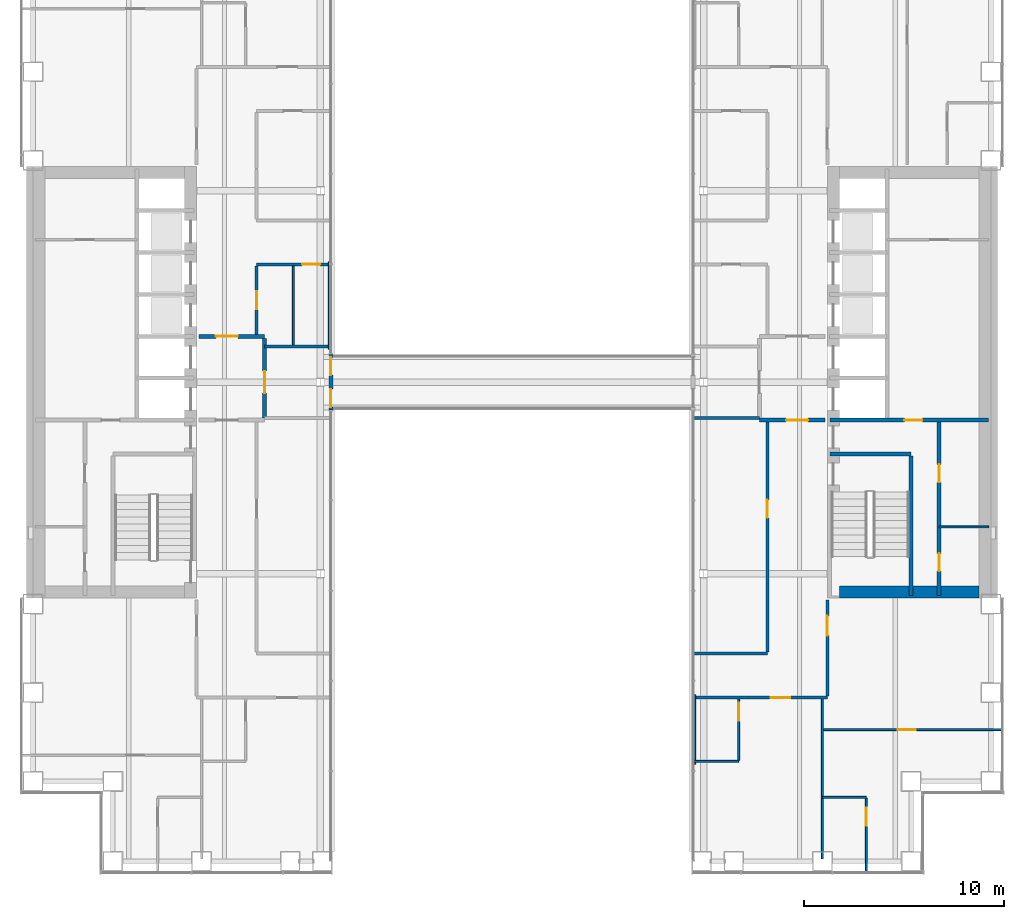
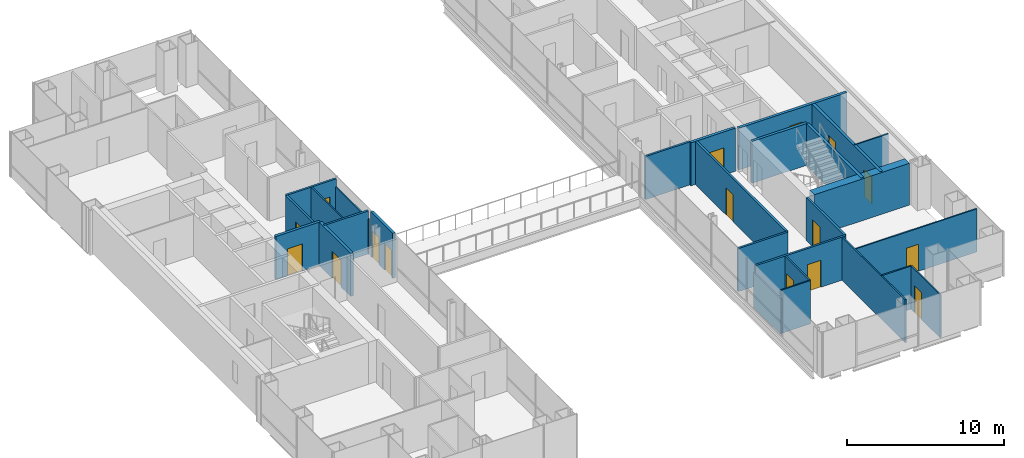
# One storey, part 14 of 18: 27 walls, 16 doors, 16 openings.
"""IFC4 building model written with IfcOpenShell, lengths in metres."""

from ifc_helpers import new_model, si_unit, direction, frame, frame_2d, origin, place, context, subcontext, project, spatial, rectangle, extrude, material, layer, layer_set, type_object, element, fill, save


model = new_model("IFC4")

# Units and contexts
model_context = context("Model", 3, precision=1e-05, world=origin(), true_north=direction((0.0, 1.0)))
body_context = subcontext(model_context, "Body", "Model", "MODEL_VIEW")
ifc_project = project(units=[si_unit("LENGTHUNIT", "METRE"), si_unit("AREAUNIT", "SQUARE_METRE"), si_unit("VOLUMEUNIT", "CUBIC_METRE"), si_unit("PLANEANGLEUNIT", "RADIAN"), si_unit("MASSUNIT", "GRAM", prefix="KILO")], contexts=[model_context])

# Site, building, storey
site_placement = place(None, origin())
site = spatial("IfcSite", under=ifc_project, at=site_placement, CompositionType="ELEMENT")
building_placement = place(site_placement, origin())
building = spatial("IfcBuilding", under=site, at=building_placement, Name="Cobrizo Arcos Hotel Tower", CompositionType="ELEMENT")
storey_placement = place(building_placement, frame((0.0, 0.0, 77.5)))
storey = spatial("IfcBuildingStorey", under=building, at=storey_placement, Name="L18", CompositionType="ELEMENT", Elevation=77.5)

# Wall, opening, door
ifc_material_1 = material(Name="Gypsum board partition")
ifc_layer_1 = layer(ifc_material_1, 0.14990234375)
ifc_layer_set_1 = layer_set([ifc_layer_1], Name="Corridor wall EI 60 150")
wall_type_1 = type_object("IfcWallType", Name="Corridor wall EI 60 150", PredefinedType="PARTITIONING", material=ifc_layer_set_1)
wall_1_placement = place(storey_placement, frame((9.14990234375, -15.800048828125, 0.0), z_axis=(0.0, 0.0, 1.0), x_axis=(1.0, 0.0, 0.0)))
wall_1 = element("IfcWall", 1, at=wall_1_placement, inside=storey, type_object=wall_type_1, Name="Partition 008", PredefinedType="PARTITIONING", context=body_context, shape_type="SweptSolid", body=[
    extrude(rectangle(XDim=6.650146484375, YDim=0.14990234375, at=frame_2d((3.3251953125, 0.0))), origin(), (0.0, 0.0, 1.0), 3.35009765625),
])
opening_1_placement = place(wall_1_placement, frame((3.802978515625, 0.0, 0.0)))
opening_1 = element("IfcOpeningElement", 2, at=opening_1_placement, cuts=wall_1, Name="Opening GD-03", PredefinedType="OPENING", context=body_context, shape_type="SweptSolid", body=[
    extrude(rectangle(XDim=1.0, YDim=2.10009765625, at=frame_2d((0.5, 1.050048828125))), frame((0.0, 0.0869140625, 0.0), z_axis=(0.0, -1.0, 0.0), x_axis=(1.0, 0.0, 0.0)), (0.0, 0.0, 1.0), 0.173828125),
])
ifc_material_2 = material(Name="Timber door leaf", Category="wood")
door_type_1 = type_object("IfcDoorType", Name="Guest room door FD30S 1000x2100", OperationType="SINGLE_SWING_LEFT", PredefinedType="DOOR", material=ifc_material_2)
door_1_placement = place(opening_1_placement, origin())
door_1 = element("IfcDoor", 3, at=door_1_placement, inside=storey, type_object=door_type_1, Name="Door GD-03", OperationType="SINGLE_SWING_LEFT", OverallHeight=2.10009765625, OverallWidth=1.0, PredefinedType="DOOR", context=body_context, shape_type="SweptSolid", body=[
    extrude(rectangle(XDim=1.0, YDim=2.10009765625, at=frame_2d((0.5, 1.050048828125))), frame((0.0, 0.02490234375, 0.0), z_axis=(0.0, -1.0, 0.0), x_axis=(1.0, 0.0, 0.0)), (0.0, 0.0, 1.0), 0.050048828125),
])
fill(opening_1, door_1)

# Walls
wall_2_placement = place(storey_placement, frame((9.1201171875, -13.60009765625, 0.0), z_axis=(0.0, 0.0, 1.0), x_axis=(1.0, 0.0, 0.0)))
element("IfcWall", 4, at=wall_2_placement, inside=storey, type_object=wall_type_1, Name="Partition 010", PredefinedType="PARTITIONING", context=body_context, shape_type="SweptSolid", body=[
    extrude(rectangle(XDim=3.679931640625, YDim=0.14990234375, at=frame_2d((1.83984375, 0.0))), origin(), (0.0, 0.0, 1.0), 3.35009765625),
])
wall_3_placement = place(storey_placement, frame((9.1201171875, -1.800048828125, 0.0), z_axis=(0.0, 0.0, 1.0), x_axis=(1.0, 0.0, 0.0)))
element("IfcWall", 5, at=wall_3_placement, inside=storey, type_object=wall_type_1, Name="Partition 020", PredefinedType="PARTITIONING", context=body_context, shape_type="SweptSolid", body=[
    extrude(rectangle(XDim=3.27978515625, YDim=0.14990234375, at=frame_2d((1.639892578125, 0.0))), origin(), (0.0, 0.0, 1.0), 3.35009765625),
])
wall_4_placement = place(storey_placement, frame((-12.39990234375, 1.800048828125, 0.0), z_axis=(0.0, 0.0, 1.0), x_axis=(1.0, 0.0, 0.0)))
element("IfcWall", 6, at=wall_4_placement, inside=storey, type_object=wall_type_1, Name="Partition 023", PredefinedType="PARTITIONING", context=body_context, shape_type="SweptSolid", body=[
    extrude(rectangle(XDim=3.25, YDim=0.14990234375, at=frame_2d((1.625, 0.0))), origin(), (0.0, 0.0, 1.0), 3.35009765625),
])

# Wall, opening, door
wall_5_placement = place(storey_placement, frame((-12.800048828125, 5.89990234375, 0.0), z_axis=(0.0, 0.0, 1.0), x_axis=(1.0, 0.0, 0.0)))
wall_5 = element("IfcWall", 7, at=wall_5_placement, inside=storey, type_object=wall_type_1, Name="Partition 031", PredefinedType="PARTITIONING", context=body_context, shape_type="SweptSolid", body=[
    extrude(rectangle(XDim=3.650146484375, YDim=0.14990234375, at=frame_2d((1.8251953125, 0.0))), origin(), (0.0, 0.0, 1.0), 3.35009765625),
])
opening_2_placement = place(wall_5_placement, frame((2.2880859375, 0.0, 0.0)))
opening_2 = element("IfcOpeningElement", 8, at=opening_2_placement, cuts=wall_5, Name="Opening ED-10", PredefinedType="OPENING", context=body_context, shape_type="SweptSolid", body=[
    extrude(rectangle(XDim=0.89990234375, YDim=2.10009765625, at=frame_2d((0.449951171875, 1.050048828125))), frame((0.0, 0.0869140625, 0.0), z_axis=(0.0, -1.0, 0.0), x_axis=(1.0, 0.0, 0.0)), (0.0, 0.0, 1.0), 0.173828125),
])
door_type_2 = type_object("IfcDoorType", Name="En-suite door 900x2100", OperationType="SINGLE_SWING_LEFT", PredefinedType="DOOR", material=ifc_material_2)
door_2_placement = place(opening_2_placement, origin())
door_2 = element("IfcDoor", 9, at=door_2_placement, inside=storey, type_object=door_type_2, Name="Door ED-10", OperationType="SINGLE_SWING_LEFT", OverallHeight=2.10009765625, OverallWidth=0.89990234375, PredefinedType="DOOR", context=body_context, shape_type="SweptSolid", body=[
    extrude(rectangle(XDim=0.89990234375, YDim=2.10009765625, at=frame_2d((0.449951171875, 1.050048828125))), frame((0.0, 0.02490234375, 0.0), z_axis=(0.0, -1.0, 0.0), x_axis=(1.0, 0.0, 0.0)), (0.0, 0.0, 1.0), 0.050048828125),
])
fill(opening_2, door_2)

wall_6_placement = place(storey_placement, frame((-12.800048828125, 2.39990234375, 0.0), z_axis=(0.0, 0.0, 1.0), x_axis=(0.0, 1.0, 0.0)))
wall_6 = element("IfcWall", 10, at=wall_6_placement, inside=storey, type_object=wall_type_1, Name="Partition 062", PredefinedType="PARTITIONING", context=body_context, shape_type="SweptSolid", body=[
    extrude(rectangle(XDim=3.425048828125, YDim=0.14990234375, at=frame_2d((1.71240234375, 0.0))), origin(), (0.0, 0.0, 1.0), 3.35009765625),
])
opening_3_placement = place(wall_6_placement, frame((1.25, 0.0, 0.0)))
opening_3 = element("IfcOpeningElement", 11, at=opening_3_placement, cuts=wall_6, Name="Opening ED-09", PredefinedType="OPENING", context=body_context, shape_type="SweptSolid", body=[
    extrude(rectangle(XDim=0.89990234375, YDim=2.10009765625, at=frame_2d((0.449951171875, 1.050048828125))), frame((0.0, 0.0869140625, 0.0), z_axis=(0.0, -1.0, 0.0), x_axis=(1.0, 0.0, 0.0)), (0.0, 0.0, 1.0), 0.173828125),
])
door_3_placement = place(opening_3_placement, origin())
door_3 = element("IfcDoor", 12, at=door_3_placement, inside=storey, type_object=door_type_2, Name="Door ED-09", OperationType="SINGLE_SWING_RIGHT", OverallHeight=2.10009765625, OverallWidth=0.89990234375, PredefinedType="DOOR", context=body_context, shape_type="SweptSolid", body=[
    extrude(rectangle(XDim=0.89990234375, YDim=2.10009765625, at=frame_2d((0.449951171875, 1.050048828125))), frame((0.0, 0.02490234375, 0.0), z_axis=(0.0, -1.0, 0.0), x_axis=(1.0, 0.0, 0.0)), (0.0, 0.0, 1.0), 0.050048828125),
])
fill(opening_3, door_3)

wall_7_placement = place(storey_placement, frame((12.800048828125, -13.52490234375, 0.0), z_axis=(0.0, 0.0, 1.0), x_axis=(0.0, 1.0, 0.0)))
wall_7 = element("IfcWall", 13, at=wall_7_placement, inside=storey, type_object=wall_type_1, Name="Partition 073", PredefinedType="PARTITIONING", context=body_context, shape_type="SweptSolid", body=[
    extrude(rectangle(XDim=11.52490234375, YDim=0.14990234375, at=frame_2d((5.762451171875, 0.0))), origin(), (0.0, 0.0, 1.0), 3.35009765625),
])
opening_4_placement = place(wall_7_placement, frame((6.72509765625, 0.0, 0.0)))
opening_4 = element("IfcOpeningElement", 14, at=opening_4_placement, cuts=wall_7, Name="Opening RD-16", PredefinedType="OPENING", context=body_context, shape_type="SweptSolid", body=[
    extrude(rectangle(XDim=0.89990234375, YDim=2.10009765625, at=frame_2d((0.449951171875, 1.050048828125))), frame((0.0, 0.0869140625, 0.0), z_axis=(0.0, -1.0, 0.0), x_axis=(1.0, 0.0, 0.0)), (0.0, 0.0, 1.0), 0.173828125),
])
door_type_3 = type_object("IfcDoorType", Name="Room door FD30 900x2100", OperationType="SINGLE_SWING_LEFT", PredefinedType="DOOR", material=ifc_material_2)
door_4_placement = place(opening_4_placement, origin())
door_4 = element("IfcDoor", 15, at=door_4_placement, inside=storey, type_object=door_type_3, Name="Door RD-16", OperationType="SINGLE_SWING_LEFT", OverallHeight=2.10009765625, OverallWidth=0.89990234375, PredefinedType="DOOR", context=body_context, shape_type="SweptSolid", body=[
    extrude(rectangle(XDim=0.89990234375, YDim=2.10009765625, at=frame_2d((0.449951171875, 1.050048828125))), frame((0.0, 0.02490234375, 0.0), z_axis=(0.0, -1.0, 0.0), x_axis=(1.0, 0.0, 0.0)), (0.0, 0.0, 1.0), 0.050048828125),
])
fill(opening_4, door_4)

wall_8_placement = place(storey_placement, frame((15.800048828125, -15.72509765625, 0.0), z_axis=(0.0, 0.0, 1.0), x_axis=(0.0, 1.0, 0.0)))
wall_8 = element("IfcWall", 16, at=wall_8_placement, inside=storey, type_object=wall_type_1, Name="Partition 079", PredefinedType="PARTITIONING", context=body_context, shape_type="SweptSolid", body=[
    extrude(rectangle(XDim=4.80517578125, YDim=0.14990234375, at=frame_2d((2.402587890625, 0.0))), origin(), (0.0, 0.0, 1.0), 3.35009765625),
])
opening_5_placement = place(wall_8_placement, frame((3.02490234375, 0.0, 0.0)))
opening_5 = element("IfcOpeningElement", 17, at=opening_5_placement, cuts=wall_8, Name="Opening GD-07", PredefinedType="OPENING", context=body_context, shape_type="SweptSolid", body=[
    extrude(rectangle(XDim=1.0, YDim=2.10009765625, at=frame_2d((0.5, 1.050048828125))), frame((0.0, 0.0869140625, 0.0), z_axis=(0.0, -1.0, 0.0), x_axis=(1.0, 0.0, 0.0)), (0.0, 0.0, 1.0), 0.173828125),
])
door_5_placement = place(opening_5_placement, origin())
door_5 = element("IfcDoor", 18, at=door_5_placement, inside=storey, type_object=door_type_1, Name="Door GD-07", OperationType="SINGLE_SWING_LEFT", OverallHeight=2.10009765625, OverallWidth=1.0, PredefinedType="DOOR", context=body_context, shape_type="SweptSolid", body=[
    extrude(rectangle(XDim=1.0, YDim=2.10009765625, at=frame_2d((0.5, 1.050048828125))), frame((0.0, 0.02490234375, 0.0), z_axis=(0.0, -1.0, 0.0), x_axis=(1.0, 0.0, 0.0)), (0.0, 0.0, 1.0), 0.050048828125),
])
fill(opening_5, door_5)

# Wall, openings, doors
ifc_material_3 = material(Name="Aluminium 6063-T6 anodised pale", Category="aluminium")
ifc_layer_2 = layer(ifc_material_3, 0.199951171875)
ifc_layer_set_2 = layer_set([ifc_layer_2], Name="EW-4 sky bridge door frame wall")
wall_type_2 = type_object("IfcWallType", Name="EW-4 sky bridge door frame wall", PredefinedType="SOLIDWALL", material=ifc_layer_set_2)
wall_9_placement = place(storey_placement, frame((-9.074951171875, -1.39990234375, 0.0), z_axis=(0.0, 0.0, 1.0), x_axis=(0.0, 1.0, 0.0)))
wall_9 = element("IfcWall", 19, at=wall_9_placement, inside=storey, type_object=wall_type_2, Name="Sky bridge door wall A W", PredefinedType="SOLIDWALL", context=body_context, shape_type="SweptSolid", body=[
    extrude(rectangle(XDim=2.7998046875, YDim=0.199951171875, at=frame_2d((1.39990234375, 0.0))), origin(), (0.0, 0.0, 1.0), 3.5),
])
opening_6_placement = place(wall_9_placement, frame((0.14990234375, 0.0, 0.0)))
opening_6 = element("IfcOpeningElement", 20, at=opening_6_placement, cuts=wall_9, Name="Opening E-38", PredefinedType="OPENING", context=body_context, shape_type="SweptSolid", body=[
    extrude(rectangle(XDim=0.89990234375, YDim=2.10009765625, at=frame_2d((0.449951171875, 1.050048828125))), frame((0.0, 0.112060546875, 0.0), z_axis=(0.0, -1.0, 0.0), x_axis=(1.0, 0.0, 0.0)), (0.0, 0.0, 1.0), 0.223876953125),
])
opening_7_placement = place(wall_9_placement, frame((1.75, 0.0, 0.0)))
opening_7 = element("IfcOpeningElement", 21, at=opening_7_placement, cuts=wall_9, Name="Opening E-39", PredefinedType="OPENING", context=body_context, shape_type="SweptSolid", body=[
    extrude(rectangle(XDim=0.89990234375, YDim=2.10009765625, at=frame_2d((0.449951171875, 1.050048828125))), frame((0.0, 0.112060546875, 0.0), z_axis=(0.0, -1.0, 0.0), x_axis=(1.0, 0.0, 0.0)), (0.0, 0.0, 1.0), 0.223876953125),
])
ifc_material_4 = material(Name="Aluminium 6063-T6 and clear laminated glass", Category="aluminium")
door_type_4 = type_object("IfcDoorType", Name="D-B2 sky bridge single door 900x2100", OperationType="SINGLE_SWING_LEFT", PredefinedType="DOOR", material=ifc_material_4)
door_6_placement = place(opening_6_placement, origin())
door_6 = element("IfcDoor", 22, at=door_6_placement, inside=storey, type_object=door_type_4, Name="Sky bridge door wall A W door E-38", OperationType="SINGLE_SWING_LEFT", OverallHeight=2.10009765625, OverallWidth=0.89990234375, PredefinedType="DOOR", context=body_context, shape_type="SweptSolid", body=[
    extrude(rectangle(XDim=0.89990234375, YDim=2.10009765625, at=frame_2d((0.449951171875, 1.050048828125))), frame((0.0, 0.02490234375, 0.0), z_axis=(0.0, -1.0, 0.0), x_axis=(1.0, 0.0, 0.0)), (0.0, 0.0, 1.0), 0.050048828125),
])
fill(opening_6, door_6)
door_7_placement = place(opening_7_placement, origin())
door_7 = element("IfcDoor", 23, at=door_7_placement, inside=storey, type_object=door_type_4, Name="Sky bridge door wall A W door E-39", OperationType="SINGLE_SWING_RIGHT", OverallHeight=2.10009765625, OverallWidth=0.89990234375, PredefinedType="DOOR", context=body_context, shape_type="SweptSolid", body=[
    extrude(rectangle(XDim=0.89990234375, YDim=2.10009765625, at=frame_2d((0.449951171875, 1.050048828125))), frame((0.0, 0.02490234375, 0.0), z_axis=(0.0, -1.0, 0.0), x_axis=(1.0, 0.0, 0.0)), (0.0, 0.0, 1.0), 0.050048828125),
])
fill(opening_7, door_7)

# Walls
ifc_layer_3 = layer(ifc_material_1, 0.10009765625)
ifc_layer_set_3 = layer_set([ifc_layer_3], Name="Partition EI 30 100")
wall_type_3 = type_object("IfcWallType", Name="Partition EI 30 100", PredefinedType="PARTITIONING", material=ifc_layer_set_3)
wall_10_placement = place(storey_placement, frame((15.550048828125, -20.800048828125, 0.0), z_axis=(0.0, 0.0, 1.0), x_axis=(1.0, 0.0, 0.0)))
element("IfcWall", 24, at=wall_10_placement, inside=storey, type_object=wall_type_3, Name="Partition 002", PredefinedType="PARTITIONING", context=body_context, shape_type="SweptSolid", body=[
    extrude(rectangle(XDim=2.199951171875, YDim=0.10009765625, at=frame_2d((1.10009765625, 0.0))), origin(), (0.0, 0.0, 1.0), 3.35009765625),
])
wall_11_placement = place(storey_placement, frame((9.14990234375, -19.0, 0.0), z_axis=(0.0, 0.0, 1.0), x_axis=(1.0, 0.0, 0.0)))
element("IfcWall", 25, at=wall_11_placement, inside=storey, type_object=wall_type_3, Name="Partition 004", PredefinedType="PARTITIONING", context=body_context, shape_type="SweptSolid", body=[
    extrude(rectangle(XDim=2.2001953125, YDim=0.10009765625, at=frame_2d((1.10009765625, 0.0))), origin(), (0.0, 0.0, 1.0), 3.35009765625),
])

# Wall, opening, door
wall_12_placement = place(storey_placement, frame((15.550048828125, -17.39990234375, 0.0), z_axis=(0.0, 0.0, 1.0), x_axis=(1.0, 0.0, 0.0)))
wall_12 = element("IfcWall", 26, at=wall_12_placement, inside=storey, type_object=wall_type_3, Name="Partition 006", PredefinedType="PARTITIONING", context=body_context, shape_type="SweptSolid", body=[
    extrude(rectangle(XDim=8.97998046875, YDim=0.10009765625, at=frame_2d((4.489990234375, 0.0))), origin(), (0.0, 0.0, 1.0), 3.35009765625),
])
opening_8_placement = place(wall_12_placement, frame((3.778076171875, 0.0, 0.0)))
opening_8 = element("IfcOpeningElement", 27, at=opening_8_placement, cuts=wall_12, Name="Opening RD-11", PredefinedType="OPENING", context=body_context, shape_type="SweptSolid", body=[
    extrude(rectangle(XDim=0.89990234375, YDim=2.10009765625, at=frame_2d((0.449951171875, 1.050048828125))), frame((0.0, 0.06201171875, 0.0), z_axis=(0.0, -1.0, 0.0), x_axis=(1.0, 0.0, 0.0)), (0.0, 0.0, 1.0), 0.1240234375),
])
door_8_placement = place(opening_8_placement, origin())
door_8 = element("IfcDoor", 28, at=door_8_placement, inside=storey, type_object=door_type_3, Name="Door RD-11", OperationType="SINGLE_SWING_LEFT", OverallHeight=2.10009765625, OverallWidth=0.89990234375, PredefinedType="DOOR", context=body_context, shape_type="SweptSolid", body=[
    extrude(rectangle(XDim=0.89990234375, YDim=2.10009765625, at=frame_2d((0.449951171875, 1.050048828125))), frame((0.0, 0.02490234375, 0.0), z_axis=(0.0, -1.0, 0.0), x_axis=(1.0, 0.0, 0.0)), (0.0, 0.0, 1.0), 0.050048828125),
])
fill(opening_8, door_8)

# Walls
wall_13_placement = place(storey_placement, frame((21.39990234375, -7.25, 0.0), z_axis=(0.0, 0.0, 1.0), x_axis=(1.0, 0.0, 0.0)))
element("IfcWall", 29, at=wall_13_placement, inside=storey, type_object=wall_type_3, Name="Partition 012", PredefinedType="PARTITIONING", context=body_context, shape_type="SweptSolid", body=[
    extrude(rectangle(XDim=2.47998046875, YDim=0.10009765625, at=frame_2d((1.239990234375, 0.0))), origin(), (0.0, 0.0, 1.0), 3.25),
])
wall_14_placement = place(storey_placement, frame((-10.949951171875, 1.875, 0.0), z_axis=(0.0, 0.0, 1.0), x_axis=(0.0, 1.0, 0.0)))
element("IfcWall", 30, at=wall_14_placement, inside=storey, type_object=wall_type_3, Name="Partition 066", PredefinedType="PARTITIONING", context=body_context, shape_type="SweptSolid", body=[
    extrude(rectangle(XDim=3.949951171875, YDim=0.10009765625, at=frame_2d((1.97509765625, 0.0))), origin(), (0.0, 0.0, 1.0), 3.35009765625),
])
wall_15_placement = place(storey_placement, frame((-9.14990234375, 1.659912109375, 0.0), z_axis=(0.0, 0.0, 1.0), x_axis=(0.0, 1.0, 0.0)))
element("IfcWall", 31, at=wall_15_placement, inside=storey, type_object=wall_type_3, Name="Partition 067", PredefinedType="PARTITIONING", context=body_context, shape_type="SweptSolid", body=[
    extrude(rectangle(XDim=4.380126953125, YDim=0.10009765625, at=frame_2d((2.18994140625, 0.0))), origin(), (0.0, 0.0, 1.0), 2.73291015625),
])
wall_16_placement = place(storey_placement, frame((9.14990234375, -19.139892578125, 0.0), z_axis=(0.0, 0.0, 1.0), x_axis=(0.0, 1.0, 0.0)))
element("IfcWall", 32, at=wall_16_placement, inside=storey, type_object=wall_type_3, Name="Partition 068", PredefinedType="PARTITIONING", context=body_context, shape_type="SweptSolid", body=[
    extrude(rectangle(XDim=3.47998046875, YDim=0.10009765625, at=frame_2d((1.739990234375, 0.0))), origin(), (0.0, 0.0, 1.0), 2.73291015625),
])

# Wall, opening, door
wall_17_placement = place(storey_placement, frame((11.35009765625, -18.949951171875, 0.0), z_axis=(0.0, 0.0, 1.0), x_axis=(0.0, 1.0, 0.0)))
wall_17 = element("IfcWall", 33, at=wall_17_placement, inside=storey, type_object=wall_type_3, Name="Partition 070", PredefinedType="PARTITIONING", context=body_context, shape_type="SweptSolid", body=[
    extrude(rectangle(XDim=3.074951171875, YDim=0.10009765625, at=frame_2d((1.53759765625, 0.0))), origin(), (0.0, 0.0, 1.0), 3.35009765625),
])
opening_9_placement = place(wall_17_placement, frame((1.99609375, 0.0, 0.0)))
opening_9 = element("IfcOpeningElement", 34, at=opening_9_placement, cuts=wall_17, Name="Opening ED-03", PredefinedType="OPENING", context=body_context, shape_type="SweptSolid", body=[
    extrude(rectangle(XDim=0.89990234375, YDim=2.10009765625, at=frame_2d((0.449951171875, 1.050048828125))), frame((0.0, 0.06201171875, 0.0), z_axis=(0.0, -1.0, 0.0), x_axis=(1.0, 0.0, 0.0)), (0.0, 0.0, 1.0), 0.1240234375),
])
door_9_placement = place(opening_9_placement, origin())
door_9 = element("IfcDoor", 35, at=door_9_placement, inside=storey, type_object=door_type_2, Name="Door ED-03", OperationType="SINGLE_SWING_RIGHT", OverallHeight=2.10009765625, OverallWidth=0.89990234375, PredefinedType="DOOR", context=body_context, shape_type="SweptSolid", body=[
    extrude(rectangle(XDim=0.89990234375, YDim=2.10009765625, at=frame_2d((0.449951171875, 1.050048828125))), frame((0.0, 0.02490234375, 0.0), z_axis=(0.0, -1.0, 0.0), x_axis=(1.0, 0.0, 0.0)), (0.0, 0.0, 1.0), 0.050048828125),
])
fill(opening_9, door_9)

# Wall
wall_18_placement = place(storey_placement, frame((15.550048828125, -23.8798828125, 0.0), z_axis=(0.0, 0.0, 1.0), x_axis=(0.0, 1.0, 0.0)))
element("IfcWall", 36, at=wall_18_placement, inside=storey, type_object=wall_type_3, Name="Partition 077", PredefinedType="PARTITIONING", context=body_context, shape_type="SweptSolid", body=[
    extrude(rectangle(XDim=8.0048828125, YDim=0.10009765625, at=frame_2d((4.00244140625, 0.0))), origin(), (0.0, 0.0, 1.0), 3.35009765625),
])

# Wall, opening, door
wall_19_placement = place(storey_placement, frame((17.75, -24.530029296875, 0.0), z_axis=(0.0, 0.0, 1.0), x_axis=(0.0, 1.0, 0.0)))
wall_19 = element("IfcWall", 37, at=wall_19_placement, inside=storey, type_object=wall_type_3, Name="Partition 081", PredefinedType="PARTITIONING", context=body_context, shape_type="SweptSolid", body=[
    extrude(rectangle(XDim=3.679931640625, YDim=0.10009765625, at=frame_2d((1.83984375, 0.0))), origin(), (0.0, 0.0, 1.0), 3.35009765625),
])
opening_10_placement = place(wall_19_placement, frame((2.320068359375, 0.0, 0.0)))
opening_10 = element("IfcOpeningElement", 38, at=opening_10_placement, cuts=wall_19, Name="Opening ED-07", PredefinedType="OPENING", context=body_context, shape_type="SweptSolid", body=[
    extrude(rectangle(XDim=0.89990234375, YDim=2.10009765625, at=frame_2d((0.449951171875, 1.050048828125))), frame((0.0, 0.06201171875, 0.0), z_axis=(0.0, -1.0, 0.0), x_axis=(1.0, 0.0, 0.0)), (0.0, 0.0, 1.0), 0.1240234375),
])
door_10_placement = place(opening_10_placement, origin())
door_10 = element("IfcDoor", 39, at=door_10_placement, inside=storey, type_object=door_type_2, Name="Door ED-07", OperationType="SINGLE_SWING_LEFT", OverallHeight=2.10009765625, OverallWidth=0.89990234375, PredefinedType="DOOR", context=body_context, shape_type="SweptSolid", body=[
    extrude(rectangle(XDim=0.89990234375, YDim=2.10009765625, at=frame_2d((0.449951171875, 1.050048828125))), frame((0.0, 0.02490234375, 0.0), z_axis=(0.0, -1.0, 0.0), x_axis=(1.0, 0.0, 0.0)), (0.0, 0.0, 1.0), 0.050048828125),
])
fill(opening_10, door_10)

# Wall
ifc_material_5 = material(Name="Concrete f'c 60 MPa", Category="concrete")
ifc_layer_4 = layer(ifc_material_5, 0.60009765625)
ifc_layer_set_4 = layer_set([ifc_layer_4], Name="RC core wall 600 f'c 60")
wall_type_4 = type_object("IfcWallType", Name="RC core wall 600 f'c 60", PredefinedType="SHEAR", material=ifc_layer_set_4)
wall_20_placement = place(storey_placement, frame((16.39990234375, -10.5, 0.0), z_axis=(0.0, 0.0, 1.0), x_axis=(1.0, 0.0, 0.0)))
element("IfcWall", 40, at=wall_20_placement, inside=storey, type_object=wall_type_4, Name="Core wall CW1, east core, south end, L18", PredefinedType="SHEAR", context=body_context, shape_type="SweptSolid", body=[
    extrude(rectangle(XDim=7.0, YDim=0.60009765625, at=frame_2d((3.5, 0.0))), origin(), (0.0, 0.0, 1.0), 3.25),
])

# Wall, opening, door
ifc_layer_5 = layer(ifc_material_1, 0.199951171875)
ifc_layer_set_5 = layer_set([ifc_layer_5], Name="Shaft wall EI 120 200")
wall_type_5 = type_object("IfcWallType", Name="Shaft wall EI 120 200", PredefinedType="PARTITIONING", material=ifc_layer_set_5)
wall_21_placement = place(storey_placement, frame((12.39990234375, -1.89990234375, 0.0), z_axis=(0.0, 0.0, 1.0), x_axis=(1.0, 0.0, 0.0)))
wall_21 = element("IfcWall", 41, at=wall_21_placement, inside=storey, type_object=wall_type_5, Name="Partition 017", PredefinedType="PARTITIONING", context=body_context, shape_type="SweptSolid", body=[
    extrude(rectangle(XDim=3.280029296875, YDim=0.199951171875, at=frame_2d((1.64013671875, 0.0))), origin(), (0.0, 0.0, 1.0), 3.35009765625),
])
opening_11_placement = place(wall_21_placement, frame((1.340087890625, 0.0, 0.0)))
opening_11 = element("IfcOpeningElement", 42, at=opening_11_placement, cuts=wall_21, Name="Opening FD-07", PredefinedType="OPENING", context=body_context, shape_type="SweptSolid", body=[
    extrude(rectangle(XDim=1.10009765625, YDim=2.10009765625, at=frame_2d((0.550048828125, 1.050048828125))), frame((0.0, 0.112060546875, 0.0), z_axis=(0.0, -1.0, 0.0), x_axis=(1.0, 0.0, 0.0)), (0.0, 0.0, 1.0), 0.223876953125),
])
ifc_material_6 = material(Name="Steel door leaf", Category="steel")
door_type_5 = type_object("IfcDoorType", Name="Fire door FD60 1100x2100", OperationType="SINGLE_SWING_LEFT", PredefinedType="DOOR", material=ifc_material_6)
door_11_placement = place(opening_11_placement, origin())
door_11 = element("IfcDoor", 43, at=door_11_placement, inside=storey, type_object=door_type_5, Name="Door FD-07", OperationType="SINGLE_SWING_RIGHT", OverallHeight=2.10009765625, OverallWidth=1.10009765625, PredefinedType="DOOR", context=body_context, shape_type="SweptSolid", body=[
    extrude(rectangle(XDim=1.10009765625, YDim=2.10009765625, at=frame_2d((0.550048828125, 1.050048828125))), frame((0.0, 0.02490234375, 0.0), z_axis=(0.0, -1.0, 0.0), x_axis=(1.0, 0.0, 0.0)), (0.0, 0.0, 1.0), 0.050048828125),
])
fill(opening_11, door_11)

wall_22_placement = place(storey_placement, frame((15.919921875, -1.89990234375, 0.0), z_axis=(0.0, 0.0, 1.0), x_axis=(1.0, 0.0, 0.0)))
wall_22 = element("IfcWall", 44, at=wall_22_placement, inside=storey, type_object=wall_type_5, Name="Partition 018", PredefinedType="PARTITIONING", context=body_context, shape_type="SweptSolid", body=[
    extrude(rectangle(XDim=7.9599609375, YDim=0.199951171875, at=frame_2d((3.97998046875, 0.0))), origin(), (0.0, 0.0, 1.0), 3.25),
])
opening_12_placement = place(wall_22_placement, frame((3.739990234375, 0.0, 0.0)))
opening_12 = element("IfcOpeningElement", 45, at=opening_12_placement, cuts=wall_22, Name="Opening RD-07", PredefinedType="OPENING", context=body_context, shape_type="SweptSolid", body=[
    extrude(rectangle(XDim=0.89990234375, YDim=2.10009765625, at=frame_2d((0.449951171875, 1.050048828125))), frame((0.0, 0.112060546875, 0.0), z_axis=(0.0, -1.0, 0.0), x_axis=(1.0, 0.0, 0.0)), (0.0, 0.0, 1.0), 0.223876953125),
])
door_12_placement = place(opening_12_placement, origin())
door_12 = element("IfcDoor", 46, at=door_12_placement, inside=storey, type_object=door_type_3, Name="Door RD-07", OperationType="SINGLE_SWING_LEFT", OverallHeight=2.10009765625, OverallWidth=0.89990234375, PredefinedType="DOOR", context=body_context, shape_type="SweptSolid", body=[
    extrude(rectangle(XDim=0.89990234375, YDim=2.10009765625, at=frame_2d((0.449951171875, 1.050048828125))), frame((0.0, 0.02490234375, 0.0), z_axis=(0.0, -1.0, 0.0), x_axis=(1.0, 0.0, 0.0)), (0.0, 0.0, 1.0), 0.050048828125),
])
fill(opening_12, door_12)

wall_23_placement = place(storey_placement, frame((-15.679931640625, 2.300048828125, 0.0), z_axis=(0.0, 0.0, 1.0), x_axis=(1.0, 0.0, 0.0)))
wall_23 = element("IfcWall", 47, at=wall_23_placement, inside=storey, type_object=wall_type_5, Name="Partition 026", PredefinedType="PARTITIONING", context=body_context, shape_type="SweptSolid", body=[
    extrude(rectangle(XDim=3.280029296875, YDim=0.199951171875, at=frame_2d((1.64013671875, 0.0))), origin(), (0.0, 0.0, 1.0), 3.35009765625),
])
opening_13_placement = place(wall_23_placement, frame((0.840087890625, 0.0, 0.0)))
opening_13 = element("IfcOpeningElement", 48, at=opening_13_placement, cuts=wall_23, Name="Opening FD-04", PredefinedType="OPENING", context=body_context, shape_type="SweptSolid", body=[
    extrude(rectangle(XDim=1.10009765625, YDim=2.10009765625, at=frame_2d((0.550048828125, 1.050048828125))), frame((0.0, 0.112060546875, 0.0), z_axis=(0.0, -1.0, 0.0), x_axis=(1.0, 0.0, 0.0)), (0.0, 0.0, 1.0), 0.223876953125),
])
door_13_placement = place(opening_13_placement, origin())
door_13 = element("IfcDoor", 49, at=door_13_placement, inside=storey, type_object=door_type_5, Name="Door FD-04", OperationType="SINGLE_SWING_LEFT", OverallHeight=2.10009765625, OverallWidth=1.10009765625, PredefinedType="DOOR", context=body_context, shape_type="SweptSolid", body=[
    extrude(rectangle(XDim=1.10009765625, YDim=2.10009765625, at=frame_2d((0.550048828125, 1.050048828125))), frame((0.0, 0.02490234375, 0.0), z_axis=(0.0, -1.0, 0.0), x_axis=(1.0, 0.0, 0.0)), (0.0, 0.0, 1.0), 0.050048828125),
])
fill(opening_13, door_13)

wall_24_placement = place(storey_placement, frame((-12.39990234375, -1.800048828125, 0.0), z_axis=(0.0, 0.0, 1.0), x_axis=(0.0, 1.0, 0.0)))
wall_24 = element("IfcWall", 50, at=wall_24_placement, inside=storey, type_object=wall_type_5, Name="Partition 065", PredefinedType="PARTITIONING", context=body_context, shape_type="SweptSolid", body=[
    extrude(rectangle(XDim=4.0, YDim=0.199951171875, at=frame_2d((2.0, 0.0))), origin(), (0.0, 0.0, 1.0), 3.35009765625),
])
opening_14_placement = place(wall_24_placement, frame((1.25, 0.0, 0.0)))
opening_14 = element("IfcOpeningElement", 51, at=opening_14_placement, cuts=wall_24, Name="Opening FD-02", PredefinedType="OPENING", context=body_context, shape_type="SweptSolid", body=[
    extrude(rectangle(XDim=1.10009765625, YDim=2.10009765625, at=frame_2d((0.550048828125, 1.050048828125))), frame((0.0, 0.112060546875, 0.0), z_axis=(0.0, -1.0, 0.0), x_axis=(1.0, 0.0, 0.0)), (0.0, 0.0, 1.0), 0.223876953125),
])
door_14_placement = place(opening_14_placement, origin())
door_14 = element("IfcDoor", 52, at=door_14_placement, inside=storey, type_object=door_type_5, Name="Door FD-02", OperationType="SINGLE_SWING_LEFT", OverallHeight=2.10009765625, OverallWidth=1.10009765625, PredefinedType="DOOR", context=body_context, shape_type="SweptSolid", body=[
    extrude(rectangle(XDim=1.10009765625, YDim=2.10009765625, at=frame_2d((0.550048828125, 1.050048828125))), frame((0.0, 0.02490234375, 0.0), z_axis=(0.0, -1.0, 0.0), x_axis=(1.0, 0.0, 0.0)), (0.0, 0.0, 1.0), 0.050048828125),
])
fill(opening_14, door_14)

# Wall, openings, doors
wall_25_placement = place(storey_placement, frame((21.39990234375, -10.679931640625, 0.0), z_axis=(0.0, 0.0, 1.0), x_axis=(0.0, 1.0, 0.0)))
wall_25 = element("IfcWall", 53, at=wall_25_placement, inside=storey, type_object=wall_type_5, Name="Partition 085", PredefinedType="PARTITIONING", context=body_context, shape_type="SweptSolid", body=[
    extrude(rectangle(XDim=8.679931640625, YDim=0.199951171875, at=frame_2d((4.33984375, 0.0))), origin(), (0.0, 0.0, 1.0), 3.25),
])
opening_15_placement = place(wall_25_placement, frame((1.2099609375, 0.0, 0.0)))
opening_15 = element("IfcOpeningElement", 54, at=opening_15_placement, cuts=wall_25, Name="Opening RD-05", PredefinedType="OPENING", context=body_context, shape_type="SweptSolid", body=[
    extrude(rectangle(XDim=0.89990234375, YDim=2.10009765625, at=frame_2d((0.449951171875, 1.050048828125))), frame((0.0, 0.112060546875, 0.0), z_axis=(0.0, -1.0, 0.0), x_axis=(1.0, 0.0, 0.0)), (0.0, 0.0, 1.0), 0.223876953125),
])
opening_16_placement = place(wall_25_placement, frame((5.659912109375, 0.0, 0.0)))
opening_16 = element("IfcOpeningElement", 55, at=opening_16_placement, cuts=wall_25, Name="Opening RD-06", PredefinedType="OPENING", context=body_context, shape_type="SweptSolid", body=[
    extrude(rectangle(XDim=0.89990234375, YDim=2.10009765625, at=frame_2d((0.449951171875, 1.050048828125))), frame((0.0, 0.112060546875, 0.0), z_axis=(0.0, -1.0, 0.0), x_axis=(1.0, 0.0, 0.0)), (0.0, 0.0, 1.0), 0.223876953125),
])
door_15_placement = place(opening_15_placement, origin())
door_15 = element("IfcDoor", 56, at=door_15_placement, inside=storey, type_object=door_type_3, Name="Door RD-05", OperationType="SINGLE_SWING_RIGHT", OverallHeight=2.10009765625, OverallWidth=0.89990234375, PredefinedType="DOOR", context=body_context, shape_type="SweptSolid", body=[
    extrude(rectangle(XDim=0.89990234375, YDim=2.10009765625, at=frame_2d((0.449951171875, 1.050048828125))), frame((0.0, 0.02490234375, 0.0), z_axis=(0.0, -1.0, 0.0), x_axis=(1.0, 0.0, 0.0)), (0.0, 0.0, 1.0), 0.050048828125),
])
fill(opening_15, door_15)
door_16_placement = place(opening_16_placement, origin())
door_16 = element("IfcDoor", 57, at=door_16_placement, inside=storey, type_object=door_type_3, Name="Door RD-06", OperationType="SINGLE_SWING_RIGHT", OverallHeight=2.10009765625, OverallWidth=0.89990234375, PredefinedType="DOOR", context=body_context, shape_type="SweptSolid", body=[
    extrude(rectangle(XDim=0.89990234375, YDim=2.10009765625, at=frame_2d((0.449951171875, 1.050048828125))), frame((0.0, 0.02490234375, 0.0), z_axis=(0.0, -1.0, 0.0), x_axis=(1.0, 0.0, 0.0)), (0.0, 0.0, 1.0), 0.050048828125),
])
fill(opening_16, door_16)

# Walls
ifc_material_7 = material(Name="Concrete f'c 40 MPa", Category="concrete")
ifc_layer_6 = layer(ifc_material_7, 0.199951171875)
ifc_layer_set_6 = layer_set([ifc_layer_6], Name="Stair shaft wall 200")
wall_type_6 = type_object("IfcWallType", Name="Stair shaft wall 200", PredefinedType="SHEAR", material=ifc_layer_set_6)
wall_26_placement = place(storey_placement, frame((15.919921875, -3.60009765625, 0.0), z_axis=(0.0, 0.0, 1.0), x_axis=(1.0, 0.0, 0.0)))
element("IfcWall", 58, at=wall_26_placement, inside=storey, type_object=wall_type_6, Name="Stair shaft wall E", PredefinedType="SHEAR", context=body_context, shape_type="SweptSolid", body=[
    extrude(rectangle(XDim=4.080078125, YDim=0.199951171875, at=frame_2d((2.0400390625, 0.0))), origin(), (0.0, 0.0, 1.0), 3.25),
])
wall_27_placement = place(storey_placement, frame((20.0, -10.679931640625, 0.0), z_axis=(0.0, 0.0, 1.0), x_axis=(0.0, 1.0, 0.0)))
element("IfcWall", 59, at=wall_27_placement, inside=storey, type_object=wall_type_6, Name="Stair shaft wall E", PredefinedType="SHEAR", context=body_context, shape_type="SweptSolid", body=[
    extrude(rectangle(XDim=6.97998046875, YDim=0.199951171875, at=frame_2d((3.489990234375, 0.0))), origin(), (0.0, 0.0, 1.0), 3.25),
])

save(model, "model.ifc")
